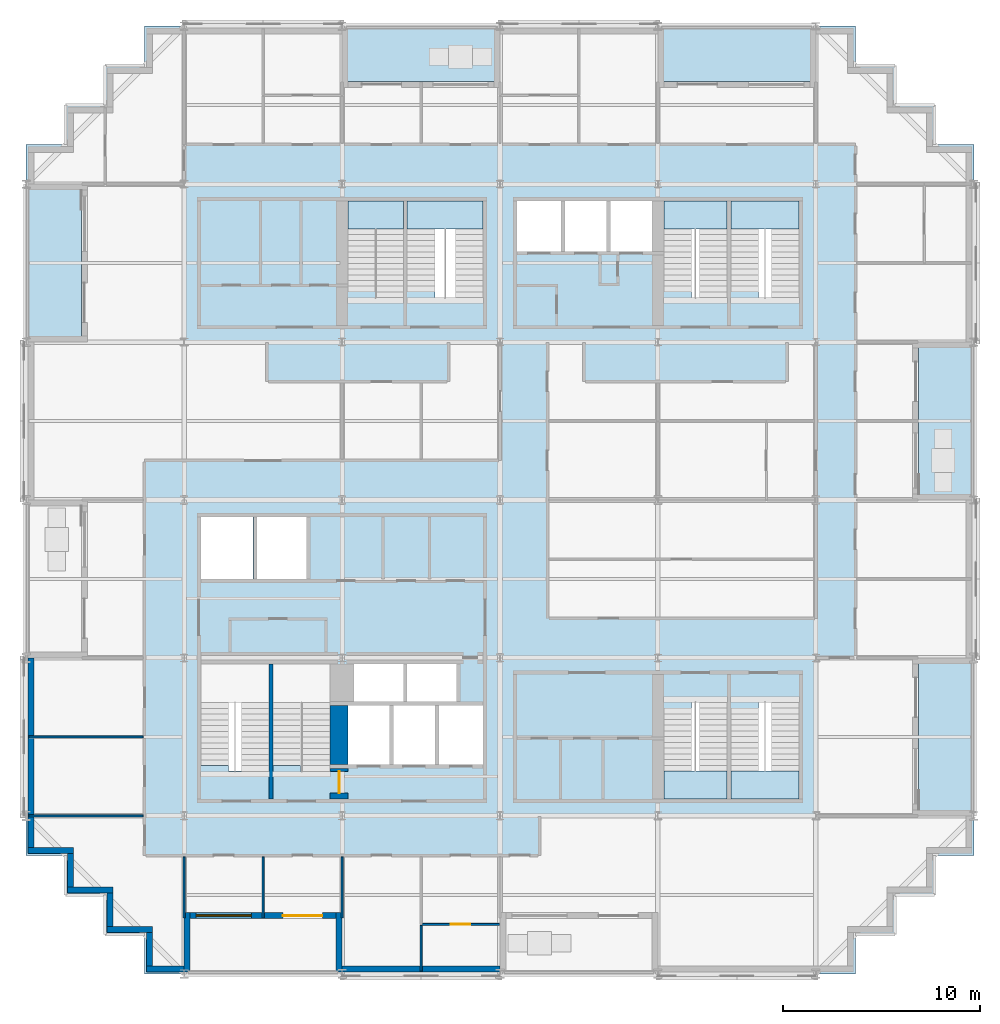
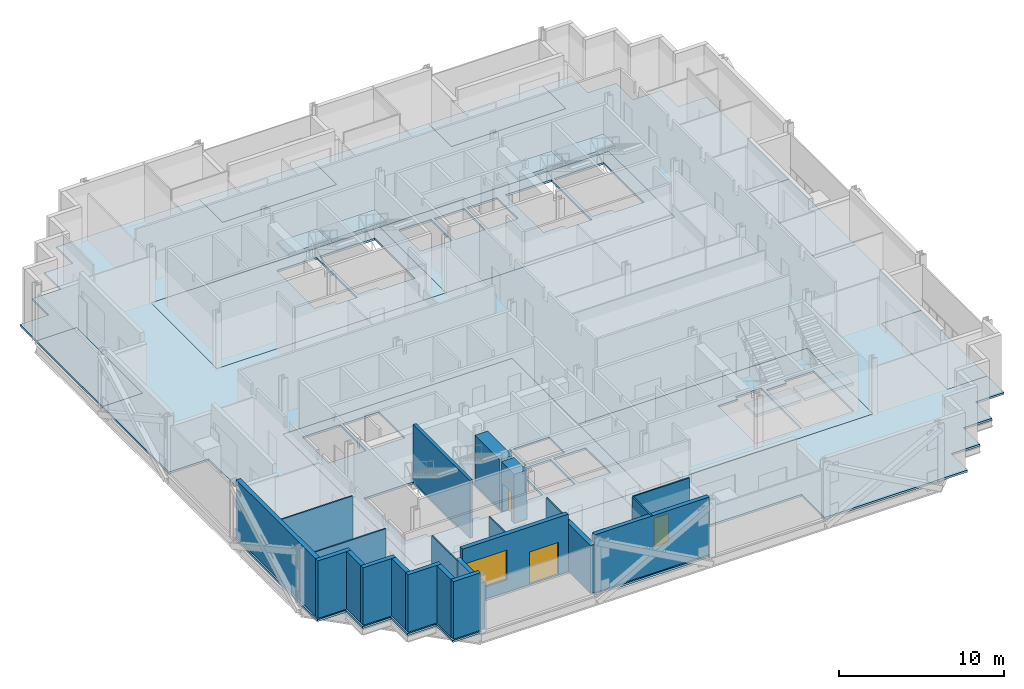
# One storey, part 5 of 15: 22 walls, 16 slabs, 3 doors, 1 window, 4 openings, 6 elements without a shape of their own.
"""IFC4 building model written with IfcOpenShell, lengths in metres."""

from ifc_helpers import new_model, si_unit, direction, frame, frame_2d, origin, place, context, subcontext, project, spatial, polyline, rectangle, outline, extrude, material, layer, layer_set, type_object, element, fill, aggregate, save


model = new_model("IFC4")

# Units and contexts
model_context = context("Model", 3, precision=1e-05, world=origin(), true_north=direction((0.0, 1.0)))
body_context = subcontext(model_context, "Body", "Model", "MODEL_VIEW")
ifc_project = project(units=[si_unit("LENGTHUNIT", "METRE"), si_unit("AREAUNIT", "SQUARE_METRE"), si_unit("VOLUMEUNIT", "CUBIC_METRE"), si_unit("PLANEANGLEUNIT", "RADIAN"), si_unit("MASSUNIT", "GRAM", prefix="KILO")], contexts=[model_context])

# Site, building, storey
site_placement = place(None, origin())
site = spatial("IfcSite", under=ifc_project, at=site_placement, CompositionType="ELEMENT")
building_placement = place(site_placement, origin())
building = spatial("IfcBuilding", under=site, at=building_placement, Name="Immortelle Media Tower", CompositionType="ELEMENT")
storey_placement = place(building_placement, frame((0.0, 0.0, 70.0)))
storey = spatial("IfcBuildingStorey", under=building, at=storey_placement, Name="L12", CompositionType="ELEMENT", Elevation=70.0)

# Slabs
ifc_material_1 = material(Name="Concrete C50/60 composite deck", Category="concrete")
ifc_layer_1 = layer(ifc_material_1, 0.14990234375)
ifc_layer_set_1 = layer_set([ifc_layer_1], Name="Concrete C50/60 composite deck")
slab_type_1 = type_object("IfcSlabType", Name="Balcony slab 150", PredefinedType="FLOOR", material=ifc_layer_set_1)
slab_1_placement = place(storey_placement, frame((0.0, 0.0, -0.14990234375)))
element("IfcSlab", 1, at=slab_1_placement, inside=storey, type_object=slab_type_1, Name="Balcony slab L12 W0", PredefinedType="FLOOR", context=body_context, shape_type="SweptSolid", body=[
    extrude(outline(polyline([(2.800048828125, 32.0), (2.800048828125, 40.0), (0.0, 40.0), (0.0, 32.0), (2.800048828125, 32.0)])), origin(), (0.0, 0.0, 1.0), 0.14990234375),
])
slab_2_placement = place(storey_placement, frame((0.0, 0.0, -0.14990234375)))
element("IfcSlab", 2, at=slab_2_placement, inside=storey, type_object=slab_type_1, Name="Balcony slab L12 E0", PredefinedType="FLOOR", context=body_context, shape_type="SweptSolid", body=[
    extrude(outline(polyline([(48.0, 8.0), (48.0, 16.0), (45.199951171875, 16.0), (45.199951171875, 8.0), (48.0, 8.0)])), origin(), (0.0, 0.0, 1.0), 0.14990234375),
])
slab_3_placement = place(storey_placement, frame((0.0, 0.0, -0.14990234375)))
element("IfcSlab", 3, at=slab_3_placement, inside=storey, type_object=slab_type_1, Name="Balcony slab L12 E2", PredefinedType="FLOOR", context=body_context, shape_type="SweptSolid", body=[
    extrude(outline(polyline([(48.0, 24.0), (48.0, 32.0), (45.199951171875, 32.0), (45.199951171875, 24.0), (48.0, 24.0)])), origin(), (0.0, 0.0, 1.0), 0.14990234375),
])
slab_4_placement = place(storey_placement, frame((0.0, 0.0, -0.14990234375)))
element("IfcSlab", 4, at=slab_4_placement, inside=storey, type_object=slab_type_1, Name="Balcony slab L12 N0", PredefinedType="FLOOR", context=body_context, shape_type="SweptSolid", body=[
    extrude(outline(polyline([(40.0, 45.199951171875), (40.0, 48.0), (32.0, 48.0), (32.0, 45.199951171875), (40.0, 45.199951171875)])), origin(), (0.0, 0.0, 1.0), 0.14990234375),
])
slab_5_placement = place(storey_placement, frame((0.0, 0.0, -0.14990234375)))
element("IfcSlab", 5, at=slab_5_placement, inside=storey, type_object=slab_type_1, Name="Balcony slab L12 N2", PredefinedType="FLOOR", context=body_context, shape_type="SweptSolid", body=[
    extrude(outline(polyline([(24.0, 45.199951171875), (24.0, 48.0), (16.0, 48.0), (16.0, 45.199951171875), (24.0, 45.199951171875)])), origin(), (0.0, 0.0, 1.0), 0.14990234375),
])
ifc_material_2 = material(Name="Concrete C50/60", Category="concrete")
ifc_layer_2 = layer(ifc_material_2, 0.14990234375)
ifc_layer_set_2 = layer_set([ifc_layer_2], Name="Concrete C50/60")
slab_type_2 = type_object("IfcSlabType", Name="Composite floor slab 150", PredefinedType="FLOOR", material=ifc_layer_set_2)
slab_6_placement = place(storey_placement, frame((0.0, 0.0, -0.14990234375)))
element("IfcSlab", 6, at=slab_6_placement, inside=storey, type_object=slab_type_2, Name="Floor slab L12", PredefinedType="FLOOR", context=body_context, shape_type="SweptSolid", body=[
    extrude(outline(polyline([(6.0, 0.0), (6.0, 2.0), (4.0, 2.0), (4.0, 4.0), (2.0, 4.0), (2.0, 6.0), (0.0, 6.0), (0.0, 16.0), (2.800048828125, 16.0), (2.800048828125, 24.0), (0.0, 24.0), (0.0, 32.0), (2.800048828125, 32.0), (2.800048828125, 40.0), (0.0, 40.0), (0.0, 42.0), (2.0, 42.0), (2.0, 44.0), (4.0, 44.0), (4.0, 46.0), (6.0, 46.0), (6.0, 48.0), (16.0, 48.0), (16.0, 45.199951171875), (24.0, 45.199951171875), (24.0, 48.0), (32.0, 48.0), (32.0, 45.199951171875), (40.0, 45.199951171875), (40.0, 48.0), (42.0, 48.0), (42.0, 46.0), (44.0, 46.0), (44.0, 44.0), (46.0, 44.0), (46.0, 42.0), (48.0, 42.0), (48.0, 32.0), (45.199951171875, 32.0), (45.199951171875, 24.0), (48.0, 24.0), (48.0, 16.0), (45.199951171875, 16.0), (45.199951171875, 8.0), (48.0, 8.0), (48.0, 6.0), (46.0, 6.0), (46.0, 4.0), (44.0, 4.0), (44.0, 2.0), (42.0, 2.0), (42.0, 0.0), (32.0, 0.0), (32.0, 2.800048828125), (24.0, 2.800048828125), (24.0, 0.0), (16.0, 0.0), (16.0, 2.800048828125), (8.0, 2.800048828125), (8.0, 0.0), (6.0, 0.0)]), holes=[polyline([(24.0, 24.0), (8.0, 24.0), (8.0, 8.0), (24.0, 8.0), (40.0, 8.0), (40.0, 16.0), (24.0, 16.0), (24.0, 24.0)]), polyline([(24.0, 32.0), (40.0, 32.0), (40.0, 40.0), (24.0, 40.0), (8.0, 40.0), (8.0, 32.0), (24.0, 32.0)])]), origin(), (0.0, 0.0, 1.0), 0.14990234375),
])
ifc_layer_3 = layer(ifc_material_2, 0.14990234375)
ifc_layer_set_3 = layer_set([ifc_layer_3], Name="Concrete C50/60")
slab_type_3 = type_object("IfcSlabType", Name="Core floor slab 150", PredefinedType="FLOOR", material=ifc_layer_set_3)
slab_7_placement = place(storey_placement, frame((0.0, 0.0, -0.14990234375)))
element("IfcSlab", 7, at=slab_7_placement, inside=storey, type_object=slab_type_3, Name="Core floor SW", PredefinedType="FLOOR", context=body_context, shape_type="SweptSolid", body=[
    extrude(outline(polyline([(8.0, 8.0), (24.0, 8.0), (24.0, 24.0), (8.0, 24.0), (8.0, 8.0)]), holes=[polyline([(8.85009765625, 20.0), (11.5, 20.0), (11.5, 23.14990234375), (8.85009765625, 23.14990234375), (8.85009765625, 20.0)]), polyline([(11.699951171875, 20.0), (14.199951171875, 20.0), (14.199951171875, 23.14990234375), (11.699951171875, 23.14990234375), (11.699951171875, 20.0)]), polyline([(16.60009765625, 13.800048828125), (19.10009765625, 13.800048828125), (19.10009765625, 15.699951171875), (16.60009765625, 15.699951171875), (16.60009765625, 13.800048828125)]), polyline([(19.300048828125, 13.800048828125), (21.800048828125, 13.800048828125), (21.800048828125, 15.699951171875), (19.300048828125, 15.699951171875), (19.300048828125, 13.800048828125)]), polyline([(16.300048828125, 10.60009765625), (18.39990234375, 10.60009765625), (18.39990234375, 13.60009765625), (16.300048828125, 13.60009765625), (16.300048828125, 10.60009765625)]), polyline([(18.60009765625, 10.60009765625), (20.699951171875, 10.60009765625), (20.699951171875, 13.60009765625), (18.60009765625, 13.60009765625), (18.60009765625, 10.60009765625)]), polyline([(20.89990234375, 10.60009765625), (23.14990234375, 10.60009765625), (23.14990234375, 13.60009765625), (20.89990234375, 13.60009765625), (20.89990234375, 10.60009765625)]), polyline([(8.85009765625, 15.699951171875), (12.300048828125, 15.699951171875), (12.300048828125, 10.27001953125), (10.25, 10.27001953125), (10.25, 10.56005859375), (8.85009765625, 10.56005859375), (8.85009765625, 15.699951171875)]), polyline([(12.5, 15.699951171875), (15.39990234375, 15.699951171875), (15.39990234375, 10.27001953125), (13.89990234375, 10.27001953125), (13.89990234375, 10.56005859375), (12.5, 10.56005859375), (12.5, 15.699951171875)])]), origin(), (0.0, 0.0, 1.0), 0.14990234375),
])
slab_8_placement = place(storey_placement, frame((0.0, 0.0, -0.14990234375)))
element("IfcSlab", 8, at=slab_8_placement, inside=storey, type_object=slab_type_3, Name="Core floor SE", PredefinedType="FLOOR", context=body_context, shape_type="SweptSolid", body=[
    extrude(outline(polyline([(24.0, 8.0), (40.0, 8.0), (40.0, 16.0), (24.0, 16.0), (24.0, 8.0)]), holes=[polyline([(35.5, 13.72998046875), (35.5, 8.85009765625), (32.300048828125, 8.85009765625), (32.300048828125, 13.43994140625), (33.699951171875, 13.43994140625), (33.699951171875, 13.72998046875), (35.5, 13.72998046875)]), polyline([(39.14990234375, 13.72998046875), (39.14990234375, 8.85009765625), (35.699951171875, 8.85009765625), (35.699951171875, 13.43994140625), (37.10009765625, 13.43994140625), (37.10009765625, 13.72998046875), (39.14990234375, 13.72998046875)])]), origin(), (0.0, 0.0, 1.0), 0.14990234375),
])
slab_9_placement = place(storey_placement, frame((0.0, 0.0, -0.14990234375)))
element("IfcSlab", 9, at=slab_9_placement, inside=storey, type_object=slab_type_3, Name="Core floor NW", PredefinedType="FLOOR", context=body_context, shape_type="SweptSolid", body=[
    extrude(outline(polyline([(8.0, 32.0), (24.0, 32.0), (24.0, 40.0), (8.0, 40.0), (8.0, 32.0)]), holes=[polyline([(16.300048828125, 39.14990234375), (19.10009765625, 39.14990234375), (19.10009765625, 34.27001953125), (17.699951171875, 34.27001953125), (17.699951171875, 34.56005859375), (16.300048828125, 34.56005859375), (16.300048828125, 39.14990234375)]), polyline([(19.300048828125, 39.14990234375), (23.14990234375, 39.14990234375), (23.14990234375, 34.27001953125), (20.699951171875, 34.27001953125), (20.699951171875, 34.56005859375), (19.300048828125, 34.56005859375), (19.300048828125, 39.14990234375)])]), origin(), (0.0, 0.0, 1.0), 0.14990234375),
])
slab_10_placement = place(storey_placement, frame((0.0, 0.0, -0.14990234375)))
element("IfcSlab", 10, at=slab_10_placement, inside=storey, type_object=slab_type_3, Name="Core floor NE", PredefinedType="FLOOR", context=body_context, shape_type="SweptSolid", body=[
    extrude(outline(polyline([(24.0, 32.0), (40.0, 32.0), (40.0, 40.0), (24.0, 40.0), (24.0, 32.0)]), holes=[polyline([(24.85009765625, 36.60009765625), (27.10009765625, 36.60009765625), (27.10009765625, 39.14990234375), (24.85009765625, 39.14990234375), (24.85009765625, 36.60009765625)]), polyline([(27.300048828125, 36.60009765625), (29.39990234375, 36.60009765625), (29.39990234375, 39.14990234375), (27.300048828125, 39.14990234375), (27.300048828125, 36.60009765625)]), polyline([(29.60009765625, 36.60009765625), (31.699951171875, 36.60009765625), (31.699951171875, 39.14990234375), (29.60009765625, 39.14990234375), (29.60009765625, 36.60009765625)]), polyline([(32.300048828125, 39.14990234375), (35.5, 39.14990234375), (35.5, 34.27001953125), (33.699951171875, 34.27001953125), (33.699951171875, 34.56005859375), (32.300048828125, 34.56005859375), (32.300048828125, 39.14990234375)]), polyline([(35.699951171875, 39.14990234375), (39.14990234375, 39.14990234375), (39.14990234375, 34.27001953125), (37.10009765625, 34.27001953125), (37.10009765625, 34.56005859375), (35.699951171875, 34.56005859375), (35.699951171875, 39.14990234375)])]), origin(), (0.0, 0.0, 1.0), 0.14990234375),
])

# Stair, slab
ifc_material_3 = material(Name="Steel ASTM A992 Gr 50", Category="steel")
stair_type = type_object("IfcStairType", Name="Stair with flights", PredefinedType="DOUBLE_RETURN_STAIR", material=ifc_material_3)
stair_1_placement = place(storey_placement, origin())
stair_1 = element("IfcStair", 11, at=stair_1_placement, inside=storey, type_object=stair_type, Name="Exit stair SE1", PredefinedType="DOUBLE_RETURN_STAIR")
ifc_material_4 = material(Name="Steel ASTM A572 Gr 50", Category="steel")
ifc_layer_4 = layer(ifc_material_4, 0.199951171875)
ifc_layer_set_4 = layer_set([ifc_layer_4], Name="Steel ASTM A572 Gr 50")
slab_type_4 = type_object("IfcSlabType", Name="Stair landing 200", PredefinedType="LANDING", material=ifc_layer_set_4)
slab_11_placement = place(storey_placement, frame((0.0, 0.0, 1.912109375)))
slab_11 = element("IfcSlab", 12, at=slab_11_placement, type_object=slab_type_4, Name="ST SE1 landing 1", PredefinedType="LANDING", context=body_context, shape_type="SweptSolid", body=[
    extrude(outline(polyline([(32.300048828125, 8.85009765625), (35.5, 8.85009765625), (35.5, 10.27001953125), (32.300048828125, 10.27001953125), (32.300048828125, 8.85009765625)])), origin(), (0.0, 0.0, 1.0), 0.199951171875),
])
aggregate(stair_1, [slab_11])

stair_2_placement = place(storey_placement, origin())
stair_2 = element("IfcStair", 13, at=stair_2_placement, inside=storey, type_object=stair_type, Name="Exit stair SE2", PredefinedType="DOUBLE_RETURN_STAIR")
slab_12_placement = place(storey_placement, frame((0.0, 0.0, 1.912109375)))
slab_12 = element("IfcSlab", 14, at=slab_12_placement, type_object=slab_type_4, Name="ST SE2 landing 1", PredefinedType="LANDING", context=body_context, shape_type="SweptSolid", body=[
    extrude(outline(polyline([(35.699951171875, 8.85009765625), (39.14990234375, 8.85009765625), (39.14990234375, 10.27001953125), (35.699951171875, 10.27001953125), (35.699951171875, 8.85009765625)])), origin(), (0.0, 0.0, 1.0), 0.199951171875),
])
aggregate(stair_2, [slab_12])

stair_3_placement = place(storey_placement, origin())
stair_3 = element("IfcStair", 15, at=stair_3_placement, inside=storey, type_object=stair_type, Name="Exit stair NW1", PredefinedType="DOUBLE_RETURN_STAIR")
slab_13_placement = place(storey_placement, frame((0.0, 0.0, 1.912109375)))
slab_13 = element("IfcSlab", 16, at=slab_13_placement, type_object=slab_type_4, Name="ST NW1 landing 1", PredefinedType="LANDING", context=body_context, shape_type="SweptSolid", body=[
    extrude(outline(polyline([(16.300048828125, 37.72998046875), (19.10009765625, 37.72998046875), (19.10009765625, 39.14990234375), (16.300048828125, 39.14990234375), (16.300048828125, 37.72998046875)])), origin(), (0.0, 0.0, 1.0), 0.199951171875),
])
aggregate(stair_3, [slab_13])

stair_4_placement = place(storey_placement, origin())
stair_4 = element("IfcStair", 17, at=stair_4_placement, inside=storey, type_object=stair_type, Name="Exit stair NW2", PredefinedType="DOUBLE_RETURN_STAIR")
slab_14_placement = place(storey_placement, frame((0.0, 0.0, 1.912109375)))
slab_14 = element("IfcSlab", 18, at=slab_14_placement, type_object=slab_type_4, Name="ST NW2 landing 1", PredefinedType="LANDING", context=body_context, shape_type="SweptSolid", body=[
    extrude(outline(polyline([(19.300048828125, 37.72998046875), (23.14990234375, 37.72998046875), (23.14990234375, 39.14990234375), (19.300048828125, 39.14990234375), (19.300048828125, 37.72998046875)])), origin(), (0.0, 0.0, 1.0), 0.199951171875),
])
aggregate(stair_4, [slab_14])

stair_5_placement = place(storey_placement, origin())
stair_5 = element("IfcStair", 19, at=stair_5_placement, inside=storey, type_object=stair_type, Name="Exit stair NE1", PredefinedType="DOUBLE_RETURN_STAIR")
slab_15_placement = place(storey_placement, frame((0.0, 0.0, 1.912109375)))
slab_15 = element("IfcSlab", 20, at=slab_15_placement, type_object=slab_type_4, Name="ST NE1 landing 1", PredefinedType="LANDING", context=body_context, shape_type="SweptSolid", body=[
    extrude(outline(polyline([(32.300048828125, 37.72998046875), (35.5, 37.72998046875), (35.5, 39.14990234375), (32.300048828125, 39.14990234375), (32.300048828125, 37.72998046875)])), origin(), (0.0, 0.0, 1.0), 0.199951171875),
])
aggregate(stair_5, [slab_15])

stair_6_placement = place(storey_placement, origin())
stair_6 = element("IfcStair", 21, at=stair_6_placement, inside=storey, type_object=stair_type, Name="Exit stair NE2", PredefinedType="DOUBLE_RETURN_STAIR")
slab_16_placement = place(storey_placement, frame((0.0, 0.0, 1.912109375)))
slab_16 = element("IfcSlab", 22, at=slab_16_placement, type_object=slab_type_4, Name="ST NE2 landing 1", PredefinedType="LANDING", context=body_context, shape_type="SweptSolid", body=[
    extrude(outline(polyline([(35.699951171875, 37.72998046875), (39.14990234375, 37.72998046875), (39.14990234375, 39.14990234375), (35.699951171875, 39.14990234375), (35.699951171875, 37.72998046875)])), origin(), (0.0, 0.0, 1.0), 0.199951171875),
])
aggregate(stair_6, [slab_16])

# Walls
ifc_material_5 = material(Name="Pale aluminium cladding panel", Category="aluminium")
ifc_layer_5 = layer(ifc_material_5, 0.030029296875)
ifc_material_6 = material(Name="Steel ASTM A653 SS Gr 50 stud frame with mineral wool", Category="steel")
ifc_layer_6 = layer(ifc_material_6, 0.257568359375)
ifc_material_7 = material(Name="Moisture-resistant gypsum board", Category="gypsum")
ifc_layer_7 = layer(ifc_material_7, 0.012451171875)
ifc_layer_set_5 = layer_set([ifc_layer_5, ifc_layer_6, ifc_layer_7], Name="Steel ASTM A653 SS Gr 50 stud frame with mineral wool")
wall_type_1 = type_object("IfcWallType", Name="Facade wall 300", PredefinedType="SOLIDWALL", material=ifc_layer_set_5)
wall_1_placement = place(storey_placement, frame((0.25, 16.0, 0.0), z_axis=(0.0, 0.0, 1.0), x_axis=(0.0, -1.0, 0.0)))
element("IfcWall", 23, at=wall_1_placement, inside=storey, type_object=wall_type_1, Name="Facade wall L12 W0", PredefinedType="SOLIDWALL", context=body_context, shape_type="SweptSolid", body=[
    extrude(rectangle(XDim=9.60009765625, YDim=0.300048828125, at=frame_2d((4.800048828125, 0.0))), origin(), (0.0, 0.0, 1.0), 4.25),
])
wall_2_placement = place(storey_placement, frame((0.10009765625, 6.25, 0.0), z_axis=(0.0, 0.0, 1.0), x_axis=(1.0, 0.0, 0.0)))
element("IfcWall", 24, at=wall_2_placement, inside=storey, type_object=wall_type_1, Name="Facade wall L12 S1", PredefinedType="SOLIDWALL", context=body_context, shape_type="SweptSolid", body=[
    extrude(rectangle(XDim=2.2998046875, YDim=0.300048828125, at=frame_2d((1.14990234375, 0.0))), origin(), (0.0, 0.0, 1.0), 4.25),
])
wall_3_placement = place(storey_placement, frame((2.25, 6.10009765625, 0.0), z_axis=(0.0, 0.0, 1.0), x_axis=(0.0, -1.0, 0.0)))
element("IfcWall", 25, at=wall_3_placement, inside=storey, type_object=wall_type_1, Name="Facade wall L12 W2", PredefinedType="SOLIDWALL", context=body_context, shape_type="SweptSolid", body=[
    extrude(rectangle(XDim=1.7001953125, YDim=0.300048828125, at=frame_2d((0.85009765625, 0.0))), origin(), (0.0, 0.0, 1.0), 4.25),
])
wall_4_placement = place(storey_placement, frame((2.10009765625, 4.25, 0.0), z_axis=(0.0, 0.0, 1.0), x_axis=(1.0, 0.0, 0.0)))
element("IfcWall", 26, at=wall_4_placement, inside=storey, type_object=wall_type_1, Name="Facade wall L12 S3", PredefinedType="SOLIDWALL", context=body_context, shape_type="SweptSolid", body=[
    extrude(rectangle(XDim=2.2998046875, YDim=0.300048828125, at=frame_2d((1.14990234375, 0.0))), origin(), (0.0, 0.0, 1.0), 4.25),
])
wall_5_placement = place(storey_placement, frame((4.25, 4.10009765625, 0.0), z_axis=(0.0, 0.0, 1.0), x_axis=(0.0, -1.0, 0.0)))
element("IfcWall", 27, at=wall_5_placement, inside=storey, type_object=wall_type_1, Name="Facade wall L12 W4", PredefinedType="SOLIDWALL", context=body_context, shape_type="SweptSolid", body=[
    extrude(rectangle(XDim=1.7001953125, YDim=0.300048828125, at=frame_2d((0.85009765625, 0.0))), origin(), (0.0, 0.0, 1.0), 4.25),
])
wall_6_placement = place(storey_placement, frame((4.10009765625, 2.25, 0.0), z_axis=(0.0, 0.0, 1.0), x_axis=(1.0, 0.0, 0.0)))
element("IfcWall", 28, at=wall_6_placement, inside=storey, type_object=wall_type_1, Name="Facade wall L12 S5", PredefinedType="SOLIDWALL", context=body_context, shape_type="SweptSolid", body=[
    extrude(rectangle(XDim=2.2998046875, YDim=0.300048828125, at=frame_2d((1.14990234375, 0.0))), origin(), (0.0, 0.0, 1.0), 4.25),
])
wall_7_placement = place(storey_placement, frame((6.25, 2.10009765625, 0.0), z_axis=(0.0, 0.0, 1.0), x_axis=(0.0, -1.0, 0.0)))
element("IfcWall", 29, at=wall_7_placement, inside=storey, type_object=wall_type_1, Name="Facade wall L12 W6", PredefinedType="SOLIDWALL", context=body_context, shape_type="SweptSolid", body=[
    extrude(rectangle(XDim=1.7001953125, YDim=0.300048828125, at=frame_2d((0.85009765625, 0.0))), origin(), (0.0, 0.0, 1.0), 4.25),
])
wall_8_placement = place(storey_placement, frame((6.10009765625, 0.25, 0.0), z_axis=(0.0, 0.0, 1.0), x_axis=(1.0, 0.0, 0.0)))
element("IfcWall", 30, at=wall_8_placement, inside=storey, type_object=wall_type_1, Name="Facade wall L12 S7", PredefinedType="SOLIDWALL", context=body_context, shape_type="SweptSolid", body=[
    extrude(rectangle(XDim=1.89990234375, YDim=0.300048828125, at=frame_2d((0.949951171875, 0.0))), origin(), (0.0, 0.0, 1.0), 4.25),
])

# Wall, openings, door, window
wall_9_placement = place(storey_placement, frame((8.300048828125, 2.949951171875, 0.0), z_axis=(0.0, 0.0, 1.0), x_axis=(1.0, 0.0, 0.0)))
wall_9 = element("IfcWall", 31, at=wall_9_placement, inside=storey, type_object=wall_type_1, Name="Loggia wall L12 S7", PredefinedType="SOLIDWALL", context=body_context, shape_type="SweptSolid", body=[
    extrude(rectangle(XDim=7.39990234375, YDim=0.300048828125, at=frame_2d((3.699951171875, 0.0))), origin(), (0.0, 0.0, 1.0), 4.25),
])
opening_1_placement = place(wall_9_placement, frame((0.300048828125, 0.0, 0.89990234375)))
opening_1 = element("IfcOpeningElement", 32, at=opening_1_placement, cuts=wall_9, Name="Opening W1", PredefinedType="OPENING", context=body_context, shape_type="SweptSolid", body=[
    extrude(rectangle(XDim=2.800048828125, YDim=2.199951171875, at=frame_2d((1.39990234375, 1.10009765625))), frame((0.0, 0.159912109375, 0.0), z_axis=(0.0, -1.0, 0.0), x_axis=(1.0, 0.0, 0.0)), (0.0, 0.0, 1.0), 0.320068359375),
])
opening_2_placement = place(wall_9_placement, frame((4.699951171875, 0.0, 0.0)))
opening_2 = element("IfcOpeningElement", 33, at=opening_2_placement, cuts=wall_9, Name="Opening N3-E003", PredefinedType="OPENING", context=body_context, shape_type="SweptSolid", body=[
    extrude(rectangle(XDim=2.0, YDim=2.39990234375, at=frame_2d((1.0, 1.199951171875))), frame((0.0, 0.159912109375, 0.0), z_axis=(0.0, -1.0, 0.0), x_axis=(1.0, 0.0, 0.0)), (0.0, 0.0, 1.0), 0.320068359375),
])
ifc_material_8 = material(Name="Aluminium frame, glazed leaves", Category="aluminium")
door_type_1 = type_object("IfcDoorType", Name="Loggia door 2000 x 2400", OperationType="DOUBLE_DOOR_SINGLE_SWING", PredefinedType="DOOR", material=ifc_material_8)
door_1_placement = place(opening_2_placement, origin())
door_1 = element("IfcDoor", 34, at=door_1_placement, inside=storey, type_object=door_type_1, Name="Door N3-E003", OperationType="DOUBLE_DOOR_SINGLE_SWING", OverallHeight=2.39990234375, OverallWidth=2.0, PredefinedType="DOOR", context=body_context, shape_type="SweptSolid", body=[
    extrude(rectangle(XDim=2.0, YDim=2.39990234375, at=frame_2d((1.0, 1.199951171875))), frame((0.0, 0.02490234375, 0.0), z_axis=(0.0, -1.0, 0.0), x_axis=(1.0, 0.0, 0.0)), (0.0, 0.0, 1.0), 0.050048828125),
])
fill(opening_2, door_1)
ifc_material_9 = material(Name="Aluminium frame", Category="aluminium")
window_type = type_object("IfcWindowType", Name="Window 2800 x 2200", PartitioningType="SINGLE_PANEL", PredefinedType="WINDOW", material=ifc_material_9)
window_placement = place(opening_1_placement, origin())
window = element("IfcWindow", 35, at=window_placement, inside=storey, type_object=window_type, Name="Window L12 L12-R7-B0", OverallHeight=2.199951171875, OverallWidth=2.800048828125, PartitioningType="SINGLE_PANEL", PredefinedType="WINDOW", context=body_context, shape_type="SweptSolid", body=[
    extrude(rectangle(XDim=2.800048828125, YDim=2.199951171875, at=frame_2d((1.39990234375, 1.10009765625))), frame((0.0, 0.030029296875, 0.0), z_axis=(0.0, -1.0, 0.0), x_axis=(1.0, 0.0, 0.0)), (0.0, 0.0, 1.0), 0.06005859375),
])
fill(opening_1, window)

# Walls
wall_10_placement = place(storey_placement, frame((8.14990234375, 0.10009765625, 0.0), z_axis=(0.0, 0.0, 1.0), x_axis=(0.0, 1.0, 0.0)))
element("IfcWall", 36, at=wall_10_placement, inside=storey, type_object=wall_type_1, Name="Loggia cheek wall L12 S", PredefinedType="SOLIDWALL", context=body_context, shape_type="SweptSolid", body=[
    extrude(rectangle(XDim=3.0, YDim=0.300048828125, at=frame_2d((1.5, 0.0))), origin(), (0.0, 0.0, 1.0), 3.468994140625),
])
wall_11_placement = place(storey_placement, frame((15.85009765625, 0.10009765625, 0.0), z_axis=(0.0, 0.0, 1.0), x_axis=(0.0, 1.0, 0.0)))
element("IfcWall", 37, at=wall_11_placement, inside=storey, type_object=wall_type_1, Name="Loggia cheek wall L12 S", PredefinedType="SOLIDWALL", context=body_context, shape_type="SweptSolid", body=[
    extrude(rectangle(XDim=3.0, YDim=0.300048828125, at=frame_2d((1.5, 0.0))), origin(), (0.0, 0.0, 1.0), 3.555908203125),
])
wall_12_placement = place(storey_placement, frame((16.0, 0.25, 0.0), z_axis=(0.0, 0.0, 1.0), x_axis=(1.0, 0.0, 0.0)))
element("IfcWall", 38, at=wall_12_placement, inside=storey, type_object=wall_type_1, Name="Facade wall L12 S7", PredefinedType="SOLIDWALL", context=body_context, shape_type="SweptSolid", body=[
    extrude(rectangle(XDim=8.0, YDim=0.300048828125, at=frame_2d((4.0, 0.0))), origin(), (0.0, 0.0, 1.0), 4.25),
])
ifc_material_10 = material(Name="Gypsum board", Category="gypsum")
ifc_layer_8 = layer(ifc_material_10, 0.012451171875)
ifc_layer_9 = layer(ifc_material_6, 0.074951171875)
ifc_layer_10 = layer(ifc_material_10, 0.012451171875)
ifc_layer_set_6 = layer_set([ifc_layer_8, ifc_layer_9, ifc_layer_10], Name="Steel ASTM A653 SS Gr 50 stud frame with mineral wool")
wall_type_2 = type_object("IfcWallType", Name="Partition 100", PredefinedType="PARTITIONING", material=ifc_layer_set_6)
wall_13_placement = place(storey_placement, frame((20.0, 0.1298828125, 0.0), z_axis=(0.0, 0.0, 1.0), x_axis=(0.0, 1.0, 0.0)))
element("IfcWall", 39, at=wall_13_placement, inside=storey, type_object=wall_type_2, Name="Partition L12-001", PredefinedType="PARTITIONING", context=body_context, shape_type="SweptSolid", body=[
    extrude(rectangle(XDim=2.320068359375, YDim=0.10009765625, at=frame_2d((1.16015625, 0.0))), origin(), (0.0, 0.0, 1.0), 4.25),
])

# Wall, opening, door
wall_14_placement = place(storey_placement, frame((20.050048828125, 2.5, 0.0), z_axis=(0.0, 0.0, 1.0), x_axis=(1.0, 0.0, 0.0)))
wall_14 = element("IfcWall", 40, at=wall_14_placement, inside=storey, type_object=wall_type_2, Name="Partition L12-002", PredefinedType="PARTITIONING", context=body_context, shape_type="SweptSolid", body=[
    extrude(rectangle(XDim=3.919921875, YDim=0.10009765625, at=frame_2d((1.9599609375, 0.0))), origin(), (0.0, 0.0, 1.0), 4.25),
])
opening_3_placement = place(wall_14_placement, frame((1.449951171875, 0.0, 0.0)))
opening_3 = element("IfcOpeningElement", 41, at=opening_3_placement, cuts=wall_14, Name="Opening N3-F003", PredefinedType="OPENING", context=body_context, shape_type="SweptSolid", body=[
    extrude(rectangle(XDim=1.0, YDim=2.10009765625, at=frame_2d((0.5, 1.050048828125))), frame((0.0, 0.06005859375, 0.0), z_axis=(0.0, -1.0, 0.0), x_axis=(1.0, 0.0, 0.0)), (0.0, 0.0, 1.0), 0.1201171875),
])
ifc_material_11 = material(Name="Timber veneered door leaf, galvanised steel frame ASTM A653", Category="steel")
door_type_2 = type_object("IfcDoorType", Name="Room door 1000 x 2100", OperationType="NOTDEFINED", PredefinedType="DOOR", material=ifc_material_11)
door_2_placement = place(opening_3_placement, origin())
door_2 = element("IfcDoor", 42, at=door_2_placement, inside=storey, type_object=door_type_2, Name="Door N3-F003", OperationType="SINGLE_SWING_LEFT", OverallHeight=2.10009765625, OverallWidth=1.0, PredefinedType="DOOR", context=body_context, shape_type="SweptSolid", body=[
    extrude(rectangle(XDim=1.0, YDim=2.10009765625, at=frame_2d((0.5, 1.050048828125))), frame((0.0, 0.02490234375, 0.0), z_axis=(0.0, -1.0, 0.0), x_axis=(1.0, 0.0, 0.0)), (0.0, 0.0, 1.0), 0.050048828125),
])
fill(opening_3, door_2)

# Walls
for number, where, z_axis, x_axis, name in (
    (43, (8.0, 2.830078125, 0.0), (0.0, 0.0, 1.0), (0.0, 1.0, 0.0), "Partition L12-004"),
    (44, (12.0, 2.830078125, 0.0), (0.0, 0.0, 1.0), (0.0, 1.0, 0.0), "Partition L12-005"),
    (45, (16.0, 2.830078125, 0.0), (0.0, 0.0, 1.0), (0.0, 1.0, 0.0), "Partition L12-006"),
):
    element("IfcWall", number, at=place(storey_placement, frame(where, z_axis=z_axis, x_axis=x_axis)), inside=storey, type_object=wall_type_2, Name=name, PredefinedType="PARTITIONING", context=body_context, shape_type="SweptSolid", body=[
        extrude(rectangle(XDim=3.094970703125, YDim=0.10009765625, at=frame_2d((1.54736328125, 0.0))), origin(), (0.0, 0.0, 1.0), 3.469970703125),
    ])
for number, where, z_axis, x_axis, name in (
    (46, (0.1298828125, 8.0, 0.0), (0.0, 0.0, 1.0), (1.0, 0.0, 0.0), "Partition L12-011"),
    (47, (0.1298828125, 12.0, 0.0), (0.0, 0.0, 1.0), (1.0, 0.0, 0.0), "Partition L12-013"),
):
    element("IfcWall", number, at=place(storey_placement, frame(where, z_axis=z_axis, x_axis=x_axis)), inside=storey, type_object=wall_type_2, Name=name, PredefinedType="PARTITIONING", context=body_context, shape_type="SweptSolid", body=[
        extrude(rectangle(XDim=5.795166015625, YDim=0.10009765625, at=frame_2d((2.8974609375, 0.0))), origin(), (0.0, 0.0, 1.0), 3.469970703125),
    ])
ifc_material_12 = material(Name="Concrete C60", Category="concrete")
ifc_layer_11 = layer(ifc_material_12, 0.199951171875)
ifc_layer_set_7 = layer_set([ifc_layer_11], Name="Concrete C60")
wall_type_3 = type_object("IfcWallType", Name="Stair shaft wall 200", PredefinedType="PARTITIONING", material=ifc_layer_set_7)
wall_15_placement = place(storey_placement, frame((12.39990234375, 8.85009765625, 0.0), z_axis=(0.0, 0.0, 1.0), x_axis=(0.0, 1.0, 0.0)))
element("IfcWall", 48, at=wall_15_placement, inside=storey, type_object=wall_type_3, Name="Stair shaft wall SW", PredefinedType="PARTITIONING", context=body_context, shape_type="SweptSolid", body=[
    extrude(rectangle(XDim=6.849853515625, YDim=0.199951171875, at=frame_2d((3.4248046875, 0.0))), origin(), (0.0, 0.0, 1.0), 4.25),
])

# Wall, opening, door
ifc_layer_12 = layer(ifc_material_12, 0.89990234375)
ifc_layer_set_8 = layer_set([ifc_layer_12], Name="Concrete C60")
wall_type_4 = type_object("IfcWallType", Name="Stair shaft wall 900", PredefinedType="PARTITIONING", material=ifc_layer_set_8)
wall_16_placement = place(storey_placement, frame((15.85009765625, 8.85009765625, 0.0), z_axis=(0.0, 0.0, 1.0), x_axis=(0.0, 1.0, 0.0)))
wall_16 = element("IfcWall", 49, at=wall_16_placement, inside=storey, type_object=wall_type_4, Name="Stair shaft wall SW", PredefinedType="PARTITIONING", context=body_context, shape_type="SweptSolid", body=[
    extrude(rectangle(XDim=1.5498046875, YDim=0.89990234375, at=frame_2d((0.77490234375, 0.0))), origin(), (0.0, 0.0, 1.0), 3.632080078125),
])
opening_4_placement = place(wall_16_placement, frame((0.300048828125, 0.0, 0.0)))
opening_4 = element("IfcOpeningElement", 50, at=opening_4_placement, cuts=wall_16, Name="Opening N3-K005", PredefinedType="OPENING", context=body_context, shape_type="SweptSolid", body=[
    extrude(rectangle(XDim=1.10009765625, YDim=2.10009765625, at=frame_2d((0.550048828125, 1.050048828125))), frame((0.0, 0.4599609375, 0.0), z_axis=(0.0, -1.0, 0.0), x_axis=(1.0, 0.0, 0.0)), (0.0, 0.0, 1.0), 0.919921875),
])
ifc_material_13 = material(Name="Galvanised steel door leaf and frame ASTM A653", Category="steel")
door_type_3 = type_object("IfcDoorType", Name="Stair lobby door 1100 x 2100", OperationType="NOTDEFINED", PredefinedType="NOTDEFINED", material=ifc_material_13)
door_3_placement = place(opening_4_placement, origin())
door_3 = element("IfcDoor", 51, at=door_3_placement, inside=storey, type_object=door_type_3, Name="Stair lobby N3-K005", OperationType="SINGLE_SWING_LEFT", OverallHeight=2.10009765625, OverallWidth=1.10009765625, PredefinedType="NOTDEFINED", context=body_context, shape_type="SweptSolid", body=[
    extrude(rectangle(XDim=1.10009765625, YDim=2.10009765625, at=frame_2d((0.550048828125, 1.050048828125))), frame((0.0, 0.02490234375, 0.0), z_axis=(0.0, -1.0, 0.0), x_axis=(1.0, 0.0, 0.0)), (0.0, 0.0, 1.0), 0.050048828125),
])
fill(opening_4, door_3)

# Wall
wall_17_placement = place(storey_placement, frame((15.85009765625, 10.60009765625, 0.0), z_axis=(0.0, 0.0, 1.0), x_axis=(0.0, 1.0, 0.0)))
element("IfcWall", 52, at=wall_17_placement, inside=storey, type_object=wall_type_4, Name="Stair shaft wall SW", PredefinedType="PARTITIONING", context=body_context, shape_type="SweptSolid", body=[
    extrude(rectangle(XDim=3.0, YDim=0.89990234375, at=frame_2d((1.5, 0.0))), origin(), (0.0, 0.0, 1.0), 3.632080078125),
])

save(model, "model.ifc")
